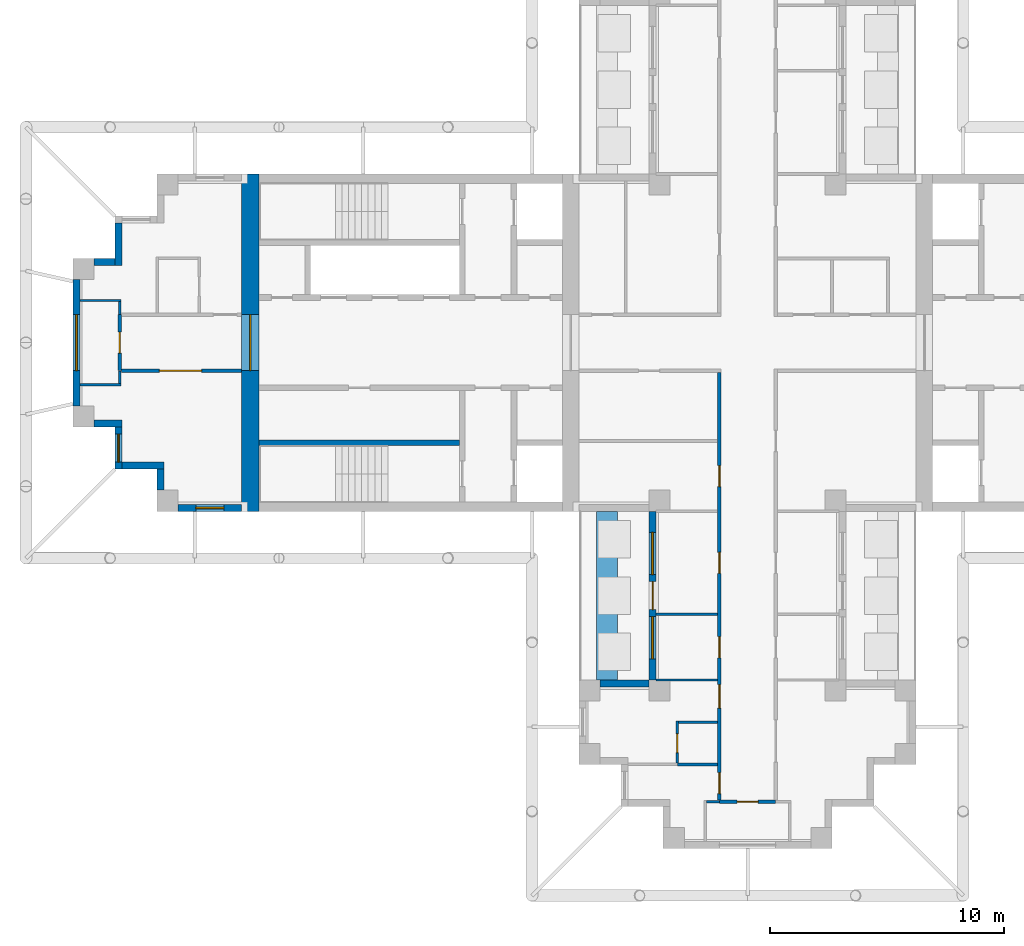
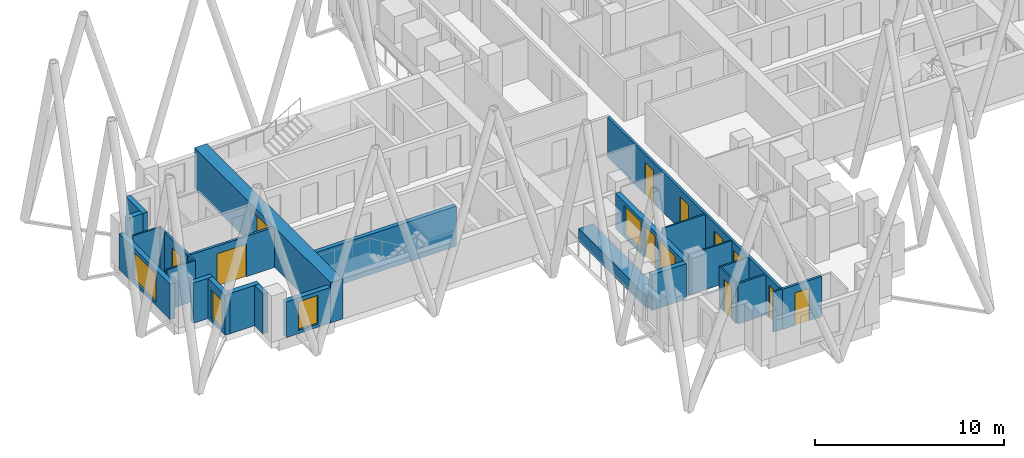
# One storey, part 3 of 11: 27 walls, 11 doors, 5 windows, 16 openings.
"""IFC4 building model written with IfcOpenShell, lengths in metres."""

from ifc_helpers import new_model, si_unit, direction, frame, frame_2d, origin, place, context, subcontext, project, spatial, rectangle, extrude, material, layer, layer_set, type_object, element, fill, save


model = new_model("IFC4")

# Units and contexts
model_context = context("Model", 3, precision=1e-05, world=origin(), true_north=direction((0.0, 1.0)))
body_context = subcontext(model_context, "Body", "Model", "MODEL_VIEW")
ifc_project = project(units=[si_unit("LENGTHUNIT", "METRE"), si_unit("AREAUNIT", "SQUARE_METRE"), si_unit("VOLUMEUNIT", "CUBIC_METRE"), si_unit("PLANEANGLEUNIT", "RADIAN"), si_unit("MASSUNIT", "GRAM", prefix="KILO")], contexts=[model_context])

# Site, building, storey
site_placement = place(None, origin())
site = spatial("IfcSite", under=ifc_project, at=site_placement, CompositionType="ELEMENT")
building_placement = place(site_placement, origin())
building = spatial("IfcBuilding", under=site, at=building_placement, Name="Fustian Cross Tower", CompositionType="ELEMENT")
storey_placement = place(building_placement, frame((0.0, 0.0, 222.89990234375)))
storey = spatial("IfcBuildingStorey", under=building, at=storey_placement, Name="L70", CompositionType="ELEMENT", Elevation=222.89990234375)

# Wall, opening, door
ifc_material_1 = material(Name="Plasterboard on steel stud", Category="steel")
ifc_layer_1 = layer(ifc_material_1, 0.14990234375)
ifc_layer_set_1 = layer_set([ifc_layer_1], Name="Plasterboard on steel stud")
wall_type_1 = type_object("IfcWallType", Name="COMPARTMENT WALL 150 EI 60", PredefinedType="PARTITIONING", material=ifc_layer_set_1)
wall_1_placement = place(storey_placement, frame((-26.800048828125, -1.199951171875, 0.0), z_axis=(0.0, 0.0, 1.0), x_axis=(0.0, 1.0, 0.0)))
wall_1 = element("IfcWall", 1, at=wall_1_placement, inside=storey, type_object=wall_type_1, Name="Partition 4", PredefinedType="PARTITIONING", context=body_context, shape_type="SweptSolid", body=[
    extrude(rectangle(XDim=2.39990234375, YDim=0.14990234375, at=frame_2d((1.199951171875, 0.0))), origin(), (0.0, 0.0, 1.0), 2.60009765625),
])
opening_1_placement = place(wall_1_placement, frame((0.75, 0.0, 0.0)))
opening_1 = element("IfcOpeningElement", 2, at=opening_1_placement, cuts=wall_1, Name="Opening D31022", PredefinedType="OPENING", context=body_context, shape_type="SweptSolid", body=[
    extrude(rectangle(XDim=0.89990234375, YDim=2.10009765625, at=frame_2d((0.449951171875, 1.050048828125))), frame((0.0, 0.0849609375, 0.0), z_axis=(0.0, -1.0, 0.0), x_axis=(1.0, 0.0, 0.0)), (0.0, 0.0, 1.0), 0.169921875),
])
ifc_material_2 = material(Name="Timber fire door set", Category="wood")
door_type_1 = type_object("IfcDoorType", Name="FIRE SWING DOOR 900 FD30S", OperationType="SINGLE_SWING_LEFT", PredefinedType="DOOR", material=ifc_material_2)
door_1_placement = place(opening_1_placement, origin())
door_1 = element("IfcDoor", 3, at=door_1_placement, inside=storey, type_object=door_type_1, Name="Door D31022", OperationType="SINGLE_SWING_LEFT", OverallHeight=2.10009765625, OverallWidth=0.89990234375, PredefinedType="DOOR", context=body_context, shape_type="SweptSolid", body=[
    extrude(rectangle(XDim=0.89990234375, YDim=2.10009765625, at=frame_2d((0.449951171875, 1.050048828125))), frame((0.0, 0.02490234375, 0.0), z_axis=(0.0, -1.0, 0.0), x_axis=(1.0, 0.0, 0.0)), (0.0, 0.0, 1.0), 0.050048828125),
])
fill(opening_1, door_1)

wall_2_placement = place(storey_placement, frame((-26.72509765625, -1.199951171875, 0.0), z_axis=(0.0, 0.0, 1.0), x_axis=(1.0, 0.0, 0.0)))
wall_2 = element("IfcWall", 4, at=wall_2_placement, inside=storey, type_object=wall_type_1, Name="Partition 5", PredefinedType="PARTITIONING", context=body_context, shape_type="SweptSolid", body=[
    extrude(rectangle(XDim=5.125, YDim=0.14990234375, at=frame_2d((2.5625, 0.0))), origin(), (0.0, 0.0, 1.0), 2.60009765625),
])
opening_2_placement = place(wall_2_placement, frame((1.625, 0.0, 0.0)))
opening_2 = element("IfcOpeningElement", 5, at=opening_2_placement, cuts=wall_2, Name="Opening D31023", PredefinedType="OPENING", context=body_context, shape_type="SweptSolid", body=[
    extrude(rectangle(XDim=1.800048828125, YDim=2.10009765625, at=frame_2d((0.89990234375, 1.050048828125))), frame((0.0, 0.0849609375, 0.0), z_axis=(0.0, -1.0, 0.0), x_axis=(1.0, 0.0, 0.0)), (0.0, 0.0, 1.0), 0.169921875),
])
ifc_material_3 = material(Name="Timber fire door set", Category="wood")
door_type_2 = type_object("IfcDoorType", Name="FIRE DOUBLE DOOR 1800 FD30S", OperationType="DOUBLE_DOOR_DOUBLE_SWING", PredefinedType="DOOR", material=ifc_material_3)
door_2_placement = place(opening_2_placement, origin())
door_2 = element("IfcDoor", 6, at=door_2_placement, inside=storey, type_object=door_type_2, Name="Door D31023", OperationType="DOUBLE_DOOR_DOUBLE_SWING", OverallHeight=2.10009765625, OverallWidth=1.800048828125, PredefinedType="DOOR", context=body_context, shape_type="SweptSolid", body=[
    extrude(rectangle(XDim=1.800048828125, YDim=2.10009765625, at=frame_2d((0.89990234375, 1.050048828125))), frame((0.0, 0.02490234375, 0.0), z_axis=(0.0, -1.0, 0.0), x_axis=(1.0, 0.0, 0.0)), (0.0, 0.0, 1.0), 0.050048828125),
])
fill(opening_2, door_2)

# Wall, openings, doors
wall_3_placement = place(storey_placement, frame((-1.199951171875, -19.52490234375, 0.0), z_axis=(0.0, 0.0, 1.0), x_axis=(0.0, 1.0, 0.0)))
wall_3 = element("IfcWall", 7, at=wall_3_placement, inside=storey, type_object=wall_type_1, Name="Partition 29", PredefinedType="PARTITIONING", context=body_context, shape_type="SweptSolid", body=[
    extrude(rectangle(XDim=18.25, YDim=0.14990234375, at=frame_2d((9.125, 0.0))), origin(), (0.0, 0.0, 1.0), 2.60009765625),
])
opening_3_placement = place(wall_3_placement, frame((13.375, 0.0, 0.0)))
opening_3 = element("IfcOpeningElement", 8, at=opening_3_placement, cuts=wall_3, Name="Opening D31008", PredefinedType="OPENING", context=body_context, shape_type="SweptSolid", body=[
    extrude(rectangle(XDim=0.89990234375, YDim=2.10009765625, at=frame_2d((0.449951171875, 1.050048828125))), frame((0.0, 0.0849609375, 0.0), z_axis=(0.0, -1.0, 0.0), x_axis=(1.0, 0.0, 0.0)), (0.0, 0.0, 1.0), 0.169921875),
])
opening_4_placement = place(wall_3_placement, frame((6.074951171875, 0.0, 0.0)))
opening_4 = element("IfcOpeningElement", 9, at=opening_4_placement, cuts=wall_3, Name="Opening D31030", PredefinedType="OPENING", context=body_context, shape_type="SweptSolid", body=[
    extrude(rectangle(XDim=0.89990234375, YDim=2.10009765625, at=frame_2d((0.449951171875, 1.050048828125))), frame((0.0, 0.0849609375, 0.0), z_axis=(0.0, -1.0, 0.0), x_axis=(1.0, 0.0, 0.0)), (0.0, 0.0, 1.0), 0.169921875),
])
opening_5_placement = place(wall_3_placement, frame((9.675048828125, 0.0, 0.0)))
opening_5 = element("IfcOpeningElement", 10, at=opening_5_placement, cuts=wall_3, Name="Opening D31031", PredefinedType="OPENING", context=body_context, shape_type="SweptSolid", body=[
    extrude(rectangle(XDim=0.89990234375, YDim=2.10009765625, at=frame_2d((0.449951171875, 1.050048828125))), frame((0.0, 0.0849609375, 0.0), z_axis=(0.0, -1.0, 0.0), x_axis=(1.0, 0.0, 0.0)), (0.0, 0.0, 1.0), 0.169921875),
])
opening_6_placement = place(wall_3_placement, frame((3.925048828125, 0.0, 0.0)))
opening_6 = element("IfcOpeningElement", 11, at=opening_6_placement, cuts=wall_3, Name="Opening D31033", PredefinedType="OPENING", context=body_context, shape_type="SweptSolid", body=[
    extrude(rectangle(XDim=1.0, YDim=2.10009765625, at=frame_2d((0.5, 1.050048828125))), frame((0.0, 0.0849609375, 0.0), z_axis=(0.0, -1.0, 0.0), x_axis=(1.0, 0.0, 0.0)), (0.0, 0.0, 1.0), 0.169921875),
])
opening_7_placement = place(wall_3_placement, frame((0.27490234375, 0.0, 0.0)))
opening_7 = element("IfcOpeningElement", 12, at=opening_7_placement, cuts=wall_3, Name="Opening D31034", PredefinedType="OPENING", context=body_context, shape_type="SweptSolid", body=[
    extrude(rectangle(XDim=0.89990234375, YDim=2.10009765625, at=frame_2d((0.449951171875, 1.050048828125))), frame((0.0, 0.0849609375, 0.0), z_axis=(0.0, -1.0, 0.0), x_axis=(1.0, 0.0, 0.0)), (0.0, 0.0, 1.0), 0.169921875),
])
ifc_material_4 = material(Name="Timber fire door set", Category="wood")
door_type_3 = type_object("IfcDoorType", Name="FIRE SWING DOOR 1000 FD30S", OperationType="SINGLE_SWING_LEFT", PredefinedType="DOOR", material=ifc_material_4)
door_3_placement = place(opening_6_placement, origin())
door_3 = element("IfcDoor", 13, at=door_3_placement, inside=storey, type_object=door_type_3, Name="Door D31033", OperationType="SINGLE_SWING_RIGHT", OverallHeight=2.10009765625, OverallWidth=1.0, PredefinedType="DOOR", context=body_context, shape_type="SweptSolid", body=[
    extrude(rectangle(XDim=1.0, YDim=2.10009765625, at=frame_2d((0.5, 1.050048828125))), frame((0.0, 0.02490234375, 0.0), z_axis=(0.0, -1.0, 0.0), x_axis=(1.0, 0.0, 0.0)), (0.0, 0.0, 1.0), 0.050048828125),
])
fill(opening_6, door_3)
door_4_placement = place(opening_3_placement, origin())
door_4 = element("IfcDoor", 14, at=door_4_placement, inside=storey, type_object=door_type_1, Name="Door D31008", OperationType="SINGLE_SWING_RIGHT", OverallHeight=2.10009765625, OverallWidth=0.89990234375, PredefinedType="DOOR", context=body_context, shape_type="SweptSolid", body=[
    extrude(rectangle(XDim=0.89990234375, YDim=2.10009765625, at=frame_2d((0.449951171875, 1.050048828125))), frame((0.0, 0.02490234375, 0.0), z_axis=(0.0, -1.0, 0.0), x_axis=(1.0, 0.0, 0.0)), (0.0, 0.0, 1.0), 0.050048828125),
])
fill(opening_3, door_4)
door_5_placement = place(opening_4_placement, origin())
door_5 = element("IfcDoor", 15, at=door_5_placement, inside=storey, type_object=door_type_1, Name="Door D31030", OperationType="SINGLE_SWING_LEFT", OverallHeight=2.10009765625, OverallWidth=0.89990234375, PredefinedType="DOOR", context=body_context, shape_type="SweptSolid", body=[
    extrude(rectangle(XDim=0.89990234375, YDim=2.10009765625, at=frame_2d((0.449951171875, 1.050048828125))), frame((0.0, 0.02490234375, 0.0), z_axis=(0.0, -1.0, 0.0), x_axis=(1.0, 0.0, 0.0)), (0.0, 0.0, 1.0), 0.050048828125),
])
fill(opening_4, door_5)
door_6_placement = place(opening_5_placement, origin())
door_6 = element("IfcDoor", 16, at=door_6_placement, inside=storey, type_object=door_type_1, Name="Door D31031", OperationType="SINGLE_SWING_LEFT", OverallHeight=2.10009765625, OverallWidth=0.89990234375, PredefinedType="DOOR", context=body_context, shape_type="SweptSolid", body=[
    extrude(rectangle(XDim=0.89990234375, YDim=2.10009765625, at=frame_2d((0.449951171875, 1.050048828125))), frame((0.0, 0.02490234375, 0.0), z_axis=(0.0, -1.0, 0.0), x_axis=(1.0, 0.0, 0.0)), (0.0, 0.0, 1.0), 0.050048828125),
])
fill(opening_5, door_6)
door_7_placement = place(opening_7_placement, origin())
door_7 = element("IfcDoor", 17, at=door_7_placement, inside=storey, type_object=door_type_1, Name="Door D31034", OperationType="SINGLE_SWING_LEFT", OverallHeight=2.10009765625, OverallWidth=0.89990234375, PredefinedType="DOOR", context=body_context, shape_type="SweptSolid", body=[
    extrude(rectangle(XDim=0.89990234375, YDim=2.10009765625, at=frame_2d((0.449951171875, 1.050048828125))), frame((0.0, 0.02490234375, 0.0), z_axis=(0.0, -1.0, 0.0), x_axis=(1.0, 0.0, 0.0)), (0.0, 0.0, 1.0), 0.050048828125),
])
fill(opening_7, door_7)

# Wall, opening, door
wall_4_placement = place(storey_placement, frame((-1.199951171875, -19.60009765625, 0.0), z_axis=(0.0, 0.0, 1.0), x_axis=(1.0, 0.0, 0.0)))
wall_4 = element("IfcWall", 18, at=wall_4_placement, inside=storey, type_object=wall_type_1, Name="Partition 30", PredefinedType="PARTITIONING", context=body_context, shape_type="SweptSolid", body=[
    extrude(rectangle(XDim=2.39990234375, YDim=0.14990234375, at=frame_2d((1.199951171875, 0.0))), origin(), (0.0, 0.0, 1.0), 2.60009765625),
])
opening_8_placement = place(wall_4_placement, frame((0.75, 0.0, 0.0)))
opening_8 = element("IfcOpeningElement", 19, at=opening_8_placement, cuts=wall_4, Name="Opening D31026", PredefinedType="OPENING", context=body_context, shape_type="SweptSolid", body=[
    extrude(rectangle(XDim=0.89990234375, YDim=2.10009765625, at=frame_2d((0.449951171875, 1.050048828125))), frame((0.0, 0.0849609375, 0.0), z_axis=(0.0, -1.0, 0.0), x_axis=(1.0, 0.0, 0.0)), (0.0, 0.0, 1.0), 0.169921875),
])
door_8_placement = place(opening_8_placement, frame((0.89990234375, 0.0, 0.0), z_axis=(0.0, 0.0, 1.0), x_axis=(-1.0, 0.0, 0.0)))
door_8 = element("IfcDoor", 20, at=door_8_placement, inside=storey, type_object=door_type_1, Name="Door D31026", OperationType="SINGLE_SWING_RIGHT", OverallHeight=2.10009765625, OverallWidth=0.89990234375, PredefinedType="DOOR", context=body_context, shape_type="SweptSolid", body=[
    extrude(rectangle(XDim=0.89990234375, YDim=2.10009765625, at=frame_2d((0.449951171875, 1.050048828125))), frame((0.0, 0.02490234375, 0.0), z_axis=(0.0, -1.0, 0.0), x_axis=(1.0, 0.0, 0.0)), (0.0, 0.0, 1.0), 0.050048828125),
])
fill(opening_8, door_8)

ifc_material_5 = material(Name="Concrete C50/60", Category="concrete")
ifc_layer_2 = layer(ifc_material_5, 0.75)
ifc_layer_set_2 = layer_set([ifc_layer_2], Name="Concrete C50/60")
wall_type_2 = type_object("IfcWallType", Name="CORE END WALL 750 C50/60", PredefinedType="SHEAR", material=ifc_layer_set_2)
wall_5_placement = place(storey_placement, frame((-21.22509765625, -7.199951171875, 0.0), z_axis=(0.0, 0.0, 1.0), x_axis=(0.0, 1.0, 0.0)))
wall_5 = element("IfcWall", 21, at=wall_5_placement, inside=storey, type_object=wall_type_2, Name="Core end wall", PredefinedType="SHEAR", context=body_context, shape_type="SweptSolid", body=[
    extrude(rectangle(XDim=14.39990234375, YDim=0.75, at=frame_2d((7.199951171875, 0.0))), origin(), (0.0, 0.0, 1.0), 2.60009765625),
])
opening_9_placement = place(wall_5_placement, frame((6.0, 0.0, 0.0)))
opening_9 = element("IfcOpeningElement", 22, at=opening_9_placement, cuts=wall_5, Name="Opening CD-29-28", PredefinedType="OPENING", context=body_context, shape_type="SweptSolid", body=[
    extrude(rectangle(XDim=2.39990234375, YDim=2.199951171875, at=frame_2d((1.199951171875, 1.10009765625))), frame((0.0, 0.385009765625, 0.0), z_axis=(0.0, -1.0, 0.0), x_axis=(1.0, 0.0, 0.0)), (0.0, 0.0, 1.0), 0.77001953125),
])
ifc_material_6 = material(Name="Steel", Category="steel")
door_type_4 = type_object("IfcDoorType", Name="FIRE DOOR FD30S DOUBLE 2400X2200", OperationType="DOUBLE_DOOR_DOUBLE_SWING", PredefinedType="DOOR", material=ifc_material_6)
door_9_placement = place(opening_9_placement, frame((2.39990234375, 0.0, 0.0), z_axis=(0.0, 0.0, 1.0), x_axis=(-1.0, 0.0, 0.0)))
door_9 = element("IfcDoor", 23, at=door_9_placement, inside=storey, type_object=door_type_4, Name="Core door CD-29-28", OperationType="DOUBLE_DOOR_DOUBLE_SWING", OverallHeight=2.199951171875, OverallWidth=2.39990234375, PredefinedType="DOOR", context=body_context, shape_type="SweptSolid", body=[
    extrude(rectangle(XDim=2.39990234375, YDim=2.199951171875, at=frame_2d((1.199951171875, 1.10009765625))), frame((0.0, 0.02490234375, 0.0), z_axis=(0.0, -1.0, 0.0), x_axis=(1.0, 0.0, 0.0)), (0.0, 0.0, 1.0), 0.050048828125),
])
fill(opening_9, door_9)

# Walls
ifc_material_7 = material(Name="Concrete C50/60", Category="concrete")
ifc_layer_3 = layer(ifc_material_7, 0.25)
ifc_layer_set_3 = layer_set([ifc_layer_3], Name="Concrete C50/60")
wall_type_3 = type_object("IfcWallType", Name="CORE SHAFT WALL 250 C50/60", PredefinedType="SHEAR", material=ifc_layer_set_3)
wall_6_placement = place(storey_placement, frame((-12.300048828125, -4.27490234375, 0.0), z_axis=(0.0, 0.0, 1.0), x_axis=(-1.0, 0.0, 0.0)))
element("IfcWall", 24, at=wall_6_placement, inside=storey, type_object=wall_type_3, Name="Core shaft wall", PredefinedType="SHEAR", context=body_context, shape_type="SweptSolid", body=[
    extrude(rectangle(XDim=8.550048828125, YDim=0.25, at=frame_2d((4.27490234375, 0.0))), origin(), (0.0, 0.0, 1.0), 2.60009765625),
])
ifc_material_8 = material(Name="Plasterboard on steel stud", Category="steel")
ifc_layer_4 = layer(ifc_material_8, 0.10009765625)
ifc_layer_set_4 = layer_set([ifc_layer_4], Name="Plasterboard on steel stud")
wall_type_4 = type_object("IfcWallType", Name="PARTITION 100 STUD", PredefinedType="PARTITIONING", material=ifc_layer_set_4)
for number, where, z_axis, x_axis, name in (
    (25, (-28.5, -1.800048828125, 0.0), (0.0, 0.0, 1.0), (1.0, 0.0, 0.0), "Partition 1"),
    (26, (-28.5, 1.800048828125, 0.0), (0.0, 0.0, 1.0), (1.0, 0.0, 0.0), "Partition 2"),
):
    element("IfcWall", number, at=place(storey_placement, frame(where, z_axis=z_axis, x_axis=x_axis)), inside=storey, type_object=wall_type_4, Name=name, PredefinedType="PARTITIONING", context=body_context, shape_type="SweptSolid", body=[
        extrude(rectangle(XDim=1.75, YDim=0.10009765625, at=frame_2d((0.875, 0.0))), origin(), (0.0, 0.0, 1.0), 2.60009765625),
    ])
for number, where, z_axis, x_axis, name in (
    (27, (-26.800048828125, -1.75, 0.0), (0.0, 0.0, 1.0), (0.0, 1.0, 0.0), "Partition 3"),
    (28, (-26.800048828125, 1.199951171875, 0.0), (0.0, 0.0, 1.0), (0.0, 1.0, 0.0), "Partition 6"),
):
    element("IfcWall", number, at=place(storey_placement, frame(where, z_axis=z_axis, x_axis=x_axis)), inside=storey, type_object=wall_type_4, Name=name, PredefinedType="PARTITIONING", context=body_context, shape_type="SweptSolid", body=[
        extrude(rectangle(XDim=0.550048828125, YDim=0.10009765625, at=frame_2d((0.27490234375, 0.0))), origin(), (0.0, 0.0, 1.0), 2.60009765625),
    ])
for number, where, z_axis, x_axis, name in (
    (29, (-3.89990234375, -14.39990234375, 0.0), (0.0, 0.0, 1.0), (1.0, 0.0, 0.0), "Partition 17"),
    (30, (-3.89990234375, -11.60009765625, 0.0), (0.0, 0.0, 1.0), (1.0, 0.0, 0.0), "Partition 18"),
):
    element("IfcWall", number, at=place(storey_placement, frame(where, z_axis=z_axis, x_axis=x_axis)), inside=storey, type_object=wall_type_4, Name=name, PredefinedType="PARTITIONING", context=body_context, shape_type="SweptSolid", body=[
        extrude(rectangle(XDim=2.625, YDim=0.10009765625, at=frame_2d((1.3125, 0.0))), origin(), (0.0, 0.0, 1.0), 2.60009765625),
    ])

# Wall, opening, door
wall_7_placement = place(storey_placement, frame((-3.0, -17.9375, 0.0), z_axis=(0.0, 0.0, 1.0), x_axis=(0.0, 1.0, 0.0)))
wall_7 = element("IfcWall", 31, at=wall_7_placement, inside=storey, type_object=wall_type_4, Name="Partition 22", PredefinedType="PARTITIONING", context=body_context, shape_type="SweptSolid", body=[
    extrude(rectangle(XDim=1.78759765625, YDim=0.10009765625, at=frame_2d((0.893798828125, 0.0))), origin(), (0.0, 0.0, 1.0), 2.60009765625),
])
opening_10_placement = place(wall_7_placement, frame((0.4375, 0.0, 0.0)))
opening_10 = element("IfcOpeningElement", 32, at=opening_10_placement, cuts=wall_7, Name="Opening D31032", PredefinedType="OPENING", context=body_context, shape_type="SweptSolid", body=[
    extrude(rectangle(XDim=0.800048828125, YDim=2.10009765625, at=frame_2d((0.39990234375, 1.050048828125))), frame((0.0, 0.06005859375, 0.0), z_axis=(0.0, -1.0, 0.0), x_axis=(1.0, 0.0, 0.0)), (0.0, 0.0, 1.0), 0.1201171875),
])
ifc_material_9 = material(Name="Painted timber", Category="wood")
door_type_5 = type_object("IfcDoorType", Name="SWING DOOR 800", OperationType="SINGLE_SWING_LEFT", PredefinedType="DOOR", material=ifc_material_9)
door_10_placement = place(opening_10_placement, frame((0.800048828125, 0.0, 0.0), z_axis=(0.0, 0.0, 1.0), x_axis=(-1.0, 0.0, 0.0)))
door_10 = element("IfcDoor", 33, at=door_10_placement, inside=storey, type_object=door_type_5, Name="Door D31032", OperationType="SINGLE_SWING_LEFT", OverallHeight=2.10009765625, OverallWidth=0.800048828125, PredefinedType="DOOR", context=body_context, shape_type="SweptSolid", body=[
    extrude(rectangle(XDim=0.800048828125, YDim=2.10009765625, at=frame_2d((0.39990234375, 1.050048828125))), frame((0.0, 0.02490234375, 0.0), z_axis=(0.0, -1.0, 0.0), x_axis=(1.0, 0.0, 0.0)), (0.0, 0.0, 1.0), 0.050048828125),
])
fill(opening_10, door_10)

# Walls
wall_8_placement = place(storey_placement, frame((-2.949951171875, -16.199951171875, 0.0), z_axis=(0.0, 0.0, 1.0), x_axis=(1.0, 0.0, 0.0)))
element("IfcWall", 34, at=wall_8_placement, inside=storey, type_object=wall_type_4, Name="Partition 24", PredefinedType="PARTITIONING", context=body_context, shape_type="SweptSolid", body=[
    extrude(rectangle(XDim=1.675048828125, YDim=0.10009765625, at=frame_2d((0.83740234375, 0.0))), origin(), (0.0, 0.0, 1.0), 2.60009765625),
])
wall_9_placement = place(storey_placement, frame((-1.75, -19.60009765625, 0.0), z_axis=(0.0, 0.0, 1.0), x_axis=(1.0, 0.0, 0.0)))
element("IfcWall", 35, at=wall_9_placement, inside=storey, type_object=wall_type_4, Name="Partition 26", PredefinedType="PARTITIONING", context=body_context, shape_type="SweptSolid", body=[
    extrude(rectangle(XDim=0.550048828125, YDim=0.10009765625, at=frame_2d((0.27490234375, 0.0))), origin(), (0.0, 0.0, 1.0), 2.60009765625),
])
ifc_material_10 = material(Name="Concrete C40/50", Category="concrete")
ifc_layer_5 = layer(ifc_material_10, 0.89990234375)
ifc_layer_set_5 = layer_set([ifc_layer_5], Name="Concrete C40/50")
wall_type_5 = type_object("IfcWallType", Name="PK1 PLANTER 900", PredefinedType="PARAPET", material=ifc_layer_set_5)
wall_10_placement = place(storey_placement, frame((-6.0, -14.39990234375, 0.0), z_axis=(0.0, 0.0, 1.0), x_axis=(0.0, 1.0, 0.0)))
element("IfcWall", 36, at=wall_10_placement, inside=storey, type_object=wall_type_5, Name="PLANTER", PredefinedType="PARAPET", context=body_context, shape_type="SweptSolid", body=[
    extrude(rectangle(XDim=7.199951171875, YDim=0.89990234375, at=frame_2d((3.60009765625, 0.0))), origin(), (0.0, 0.0, 1.0), 0.800048828125),
])
ifc_material_11 = material(Name="Plasterboard on steel stud", Category="steel")
ifc_layer_6 = layer(ifc_material_11, 0.125)
ifc_layer_set_6 = layer_set([ifc_layer_6], Name="Plasterboard on steel stud")
wall_type_6 = type_object("IfcWallType", Name="WET WALL 125 STUD", PredefinedType="PARTITIONING", material=ifc_layer_set_6)
wall_11_placement = place(storey_placement, frame((-3.0, -18.0, 0.0), z_axis=(0.0, 0.0, 1.0), x_axis=(1.0, 0.0, 0.0)))
element("IfcWall", 37, at=wall_11_placement, inside=storey, type_object=wall_type_6, Name="Partition 23", PredefinedType="PARTITIONING", context=body_context, shape_type="SweptSolid", body=[
    extrude(rectangle(XDim=1.72509765625, YDim=0.125, at=frame_2d((0.862548828125, 0.0))), origin(), (0.0, 0.0, 1.0), 2.60009765625),
])
ifc_material_12 = material(Name="Dark aluminium cladding on insulated backing wall", Category="aluminium")
ifc_layer_7 = layer(ifc_material_12, 0.300048828125)
ifc_layer_set_7 = layer_set([ifc_layer_7], Name="Dark aluminium cladding on insulated backing wall")
wall_type_7 = type_object("IfcWallType", Name="XW1 EXTERNAL WALL 300", PredefinedType="SOLIDWALL", material=ifc_layer_set_7)
wall_12_placement = place(storey_placement, frame((-26.85009765625, 5.10009765625, 0.0), z_axis=(0.0, 0.0, 1.0), x_axis=(0.0, -1.0, 0.0)))
element("IfcWall", 38, at=wall_12_placement, inside=storey, type_object=wall_type_7, Name="External wall", PredefinedType="SOLIDWALL", context=body_context, shape_type="SweptSolid", body=[
    extrude(rectangle(XDim=1.800048828125, YDim=0.300048828125, at=frame_2d((0.89990234375, 0.0))), origin(), (0.0, 0.0, 1.0), 2.60009765625),
])
wall_13_placement = place(storey_placement, frame((-27.0, 3.449951171875, 0.0), z_axis=(0.0, 0.0, 1.0), x_axis=(-1.0, 0.0, 0.0)))
element("IfcWall", 39, at=wall_13_placement, inside=storey, type_object=wall_type_7, Name="External wall", PredefinedType="SOLIDWALL", context=body_context, shape_type="SweptSolid", body=[
    extrude(rectangle(XDim=0.89990234375, YDim=0.300048828125, at=frame_2d((0.449951171875, 0.0))), origin(), (0.0, 0.0, 1.0), 2.60009765625),
])

# Wall, opening, window
wall_14_placement = place(storey_placement, frame((-28.64990234375, 2.699951171875, 0.0), z_axis=(0.0, 0.0, 1.0), x_axis=(0.0, -1.0, 0.0)))
wall_14 = element("IfcWall", 40, at=wall_14_placement, inside=storey, type_object=wall_type_7, Name="External wall", PredefinedType="SOLIDWALL", context=body_context, shape_type="SweptSolid", body=[
    extrude(rectangle(XDim=5.39990234375, YDim=0.300048828125, at=frame_2d((2.699951171875, 0.0))), origin(), (0.0, 0.0, 1.0), 2.300048828125),
])
opening_11_placement = place(wall_14_placement, frame((1.5, 0.0, 0.199951171875)))
opening_11 = element("IfcOpeningElement", 41, at=opening_11_placement, cuts=wall_14, Name="Opening WN1", PredefinedType="OPENING", context=body_context, shape_type="SweptSolid", body=[
    extrude(rectangle(XDim=2.39990234375, YDim=1.85009765625, at=frame_2d((1.199951171875, 0.925048828125))), frame((0.0, 0.159912109375, 0.0), z_axis=(0.0, -1.0, 0.0), x_axis=(1.0, 0.0, 0.0)), (0.0, 0.0, 1.0), 0.320068359375),
])
ifc_material_13 = material(Name="Dark anodised aluminium and double glazing", Category="aluminium")
window_type_1 = type_object("IfcWindowType", Name="WN1 WINDOW 2400X1850", PartitioningType="SINGLE_PANEL", PredefinedType="WINDOW", material=ifc_material_13)
window_1_placement = place(opening_11_placement, origin())
window_1 = element("IfcWindow", 42, at=window_1_placement, inside=storey, type_object=window_type_1, Name="Window", OverallHeight=1.85009765625, OverallWidth=2.39990234375, PartitioningType="SINGLE_PANEL", PredefinedType="WINDOW", context=body_context, shape_type="SweptSolid", body=[
    extrude(rectangle(XDim=2.39990234375, YDim=1.85009765625, at=frame_2d((1.199951171875, 0.925048828125))), frame((0.0, 0.030029296875, 0.0), z_axis=(0.0, -1.0, 0.0), x_axis=(1.0, 0.0, 0.0)), (0.0, 0.0, 1.0), 0.06005859375),
])
fill(opening_11, window_1)

# Wall
wall_15_placement = place(storey_placement, frame((-27.89990234375, -3.449951171875, 0.0), z_axis=(0.0, 0.0, 1.0), x_axis=(1.0, 0.0, 0.0)))
element("IfcWall", 43, at=wall_15_placement, inside=storey, type_object=wall_type_7, Name="External wall", PredefinedType="SOLIDWALL", context=body_context, shape_type="SweptSolid", body=[
    extrude(rectangle(XDim=1.199951171875, YDim=0.300048828125, at=frame_2d((0.60009765625, 0.0))), origin(), (0.0, 0.0, 1.0), 2.60009765625),
])

# Wall, opening, window
wall_16_placement = place(storey_placement, frame((-26.85009765625, -3.60009765625, 0.0), z_axis=(0.0, 0.0, 1.0), x_axis=(0.0, -1.0, 0.0)))
wall_16 = element("IfcWall", 44, at=wall_16_placement, inside=storey, type_object=wall_type_7, Name="External wall", PredefinedType="SOLIDWALL", context=body_context, shape_type="SweptSolid", body=[
    extrude(rectangle(XDim=1.7998046875, YDim=0.300048828125, at=frame_2d((0.89990234375, 0.0))), origin(), (0.0, 0.0, 1.0), 2.60009765625),
])
opening_12_placement = place(wall_16_placement, frame((0.300048828125, 0.0, 0.199951171875)))
opening_12 = element("IfcOpeningElement", 45, at=opening_12_placement, cuts=wall_16, Name="Opening WN3", PredefinedType="OPENING", context=body_context, shape_type="SweptSolid", body=[
    extrude(rectangle(XDim=1.199951171875, YDim=1.85009765625, at=frame_2d((0.60009765625, 0.925048828125))), frame((0.0, 0.159912109375, 0.0), z_axis=(0.0, -1.0, 0.0), x_axis=(1.0, 0.0, 0.0)), (0.0, 0.0, 1.0), 0.320068359375),
])
ifc_material_14 = material(Name="Dark anodised aluminium and double glazing", Category="aluminium")
window_type_2 = type_object("IfcWindowType", Name="WN3 WINDOW 1200X1850", PartitioningType="SINGLE_PANEL", PredefinedType="WINDOW", material=ifc_material_14)
window_2_placement = place(opening_12_placement, origin())
window_2 = element("IfcWindow", 46, at=window_2_placement, inside=storey, type_object=window_type_2, Name="Window", OverallHeight=1.85009765625, OverallWidth=1.199951171875, PartitioningType="SINGLE_PANEL", PredefinedType="WINDOW", context=body_context, shape_type="SweptSolid", body=[
    extrude(rectangle(XDim=1.199951171875, YDim=1.85009765625, at=frame_2d((0.60009765625, 0.925048828125))), frame((0.0, 0.030029296875, 0.0), z_axis=(0.0, -1.0, 0.0), x_axis=(1.0, 0.0, 0.0)), (0.0, 0.0, 1.0), 0.06005859375),
])
fill(opening_12, window_2)

# Walls
wall_17_placement = place(storey_placement, frame((-26.699951171875, -5.25, 0.0), z_axis=(0.0, 0.0, 1.0), x_axis=(1.0, 0.0, 0.0)))
element("IfcWall", 47, at=wall_17_placement, inside=storey, type_object=wall_type_7, Name="External wall", PredefinedType="SOLIDWALL", context=body_context, shape_type="SweptSolid", body=[
    extrude(rectangle(XDim=1.800048828125, YDim=0.300048828125, at=frame_2d((0.89990234375, 0.0))), origin(), (0.0, 0.0, 1.0), 2.60009765625),
])
wall_18_placement = place(storey_placement, frame((-25.050048828125, -5.39990234375, 0.0), z_axis=(0.0, 0.0, 1.0), x_axis=(0.0, -1.0, 0.0)))
element("IfcWall", 48, at=wall_18_placement, inside=storey, type_object=wall_type_7, Name="External wall", PredefinedType="SOLIDWALL", context=body_context, shape_type="SweptSolid", body=[
    extrude(rectangle(XDim=0.900146484375, YDim=0.300048828125, at=frame_2d((0.4501953125, 0.0))), origin(), (0.0, 0.0, 1.0), 2.60009765625),
])

# Wall, opening, window
wall_19_placement = place(storey_placement, frame((-24.300048828125, -7.050048828125, 0.0), z_axis=(0.0, 0.0, 1.0), x_axis=(1.0, 0.0, 0.0)))
wall_19 = element("IfcWall", 49, at=wall_19_placement, inside=storey, type_object=wall_type_7, Name="External wall", PredefinedType="SOLIDWALL", context=body_context, shape_type="SweptSolid", body=[
    extrude(rectangle(XDim=2.699951171875, YDim=0.300048828125, at=frame_2d((1.35009765625, 0.0))), origin(), (0.0, 0.0, 1.0), 2.300048828125),
])
opening_13_placement = place(wall_19_placement, frame((0.75, 0.0, 0.199951171875)))
opening_13 = element("IfcOpeningElement", 50, at=opening_13_placement, cuts=wall_19, Name="Opening WN3", PredefinedType="OPENING", context=body_context, shape_type="SweptSolid", body=[
    extrude(rectangle(XDim=1.199951171875, YDim=1.85009765625, at=frame_2d((0.60009765625, 0.925048828125))), frame((0.0, 0.159912109375, 0.0), z_axis=(0.0, -1.0, 0.0), x_axis=(1.0, 0.0, 0.0)), (0.0, 0.0, 1.0), 0.320068359375),
])
window_3_placement = place(opening_13_placement, origin())
window_3 = element("IfcWindow", 51, at=window_3_placement, inside=storey, type_object=window_type_2, Name="Window", OverallHeight=1.85009765625, OverallWidth=1.199951171875, PartitioningType="SINGLE_PANEL", PredefinedType="WINDOW", context=body_context, shape_type="SweptSolid", body=[
    extrude(rectangle(XDim=1.199951171875, YDim=1.85009765625, at=frame_2d((0.60009765625, 0.925048828125))), frame((0.0, 0.030029296875, 0.0), z_axis=(0.0, -1.0, 0.0), x_axis=(1.0, 0.0, 0.0)), (0.0, 0.0, 1.0), 0.06005859375),
])
fill(opening_13, window_3)

# Wall, openings, door, windows
wall_20_placement = place(storey_placement, frame((-4.050048828125, -7.199951171875, 0.0), z_axis=(0.0, 0.0, 1.0), x_axis=(0.0, -1.0, 0.0)))
wall_20 = element("IfcWall", 52, at=wall_20_placement, inside=storey, type_object=wall_type_7, Name="External wall", PredefinedType="SOLIDWALL", context=body_context, shape_type="SweptSolid", body=[
    extrude(rectangle(XDim=7.199951171875, YDim=0.300048828125, at=frame_2d((3.60009765625, 0.0))), origin(), (0.0, 0.0, 1.0), 2.300048828125),
])
opening_14_placement = place(wall_20_placement, frame((3.0, 0.0, 0.0)))
opening_14 = element("IfcOpeningElement", 53, at=opening_14_placement, cuts=wall_20, Name="Opening XD4", PredefinedType="OPENING", context=body_context, shape_type="SweptSolid", body=[
    extrude(rectangle(XDim=1.199951171875, YDim=2.050048828125, at=frame_2d((0.60009765625, 1.02490234375))), frame((0.0, 0.159912109375, 0.0), z_axis=(0.0, -1.0, 0.0), x_axis=(1.0, 0.0, 0.0)), (0.0, 0.0, 1.0), 0.320068359375),
])
opening_15_placement = place(wall_20_placement, frame((0.89990234375, 0.0, 0.199951171875)))
opening_15 = element("IfcOpeningElement", 54, at=opening_15_placement, cuts=wall_20, Name="Opening WN2", PredefinedType="OPENING", context=body_context, shape_type="SweptSolid", body=[
    extrude(rectangle(XDim=1.800048828125, YDim=1.85009765625, at=frame_2d((0.89990234375, 0.925048828125))), frame((0.0, 0.159912109375, 0.0), z_axis=(0.0, -1.0, 0.0), x_axis=(1.0, 0.0, 0.0)), (0.0, 0.0, 1.0), 0.320068359375),
])
opening_16_placement = place(wall_20_placement, frame((4.5, 0.0, 0.199951171875)))
opening_16 = element("IfcOpeningElement", 55, at=opening_16_placement, cuts=wall_20, Name="Opening WN2", PredefinedType="OPENING", context=body_context, shape_type="SweptSolid", body=[
    extrude(rectangle(XDim=1.800048828125, YDim=1.85009765625, at=frame_2d((0.89990234375, 0.925048828125))), frame((0.0, 0.159912109375, 0.0), z_axis=(0.0, -1.0, 0.0), x_axis=(1.0, 0.0, 0.0)), (0.0, 0.0, 1.0), 0.320068359375),
])
ifc_material_15 = material(Name="Dark anodised aluminium and double glazing", Category="aluminium")
door_type_6 = type_object("IfcDoorType", Name="ED1 BALCONY DOOR 1200X2050", OperationType="SINGLE_SWING_LEFT", PredefinedType="DOOR", material=ifc_material_15)
door_11_placement = place(opening_14_placement, origin())
door_11 = element("IfcDoor", 56, at=door_11_placement, inside=storey, type_object=door_type_6, Name="Balcony door", OperationType="SINGLE_SWING_LEFT", OverallHeight=2.050048828125, OverallWidth=1.199951171875, PredefinedType="DOOR", context=body_context, shape_type="SweptSolid", body=[
    extrude(rectangle(XDim=1.199951171875, YDim=2.050048828125, at=frame_2d((0.60009765625, 1.02490234375))), frame((0.0, 0.02490234375, 0.0), z_axis=(0.0, -1.0, 0.0), x_axis=(1.0, 0.0, 0.0)), (0.0, 0.0, 1.0), 0.050048828125),
])
fill(opening_14, door_11)
ifc_material_16 = material(Name="Dark anodised aluminium and double glazing", Category="aluminium")
window_type_3 = type_object("IfcWindowType", Name="WN2 WINDOW 1800X1850", PartitioningType="SINGLE_PANEL", PredefinedType="WINDOW", material=ifc_material_16)
window_4_placement = place(opening_15_placement, origin())
window_4 = element("IfcWindow", 57, at=window_4_placement, inside=storey, type_object=window_type_3, Name="Window", OverallHeight=1.85009765625, OverallWidth=1.800048828125, PartitioningType="SINGLE_PANEL", PredefinedType="WINDOW", context=body_context, shape_type="SweptSolid", body=[
    extrude(rectangle(XDim=1.800048828125, YDim=1.85009765625, at=frame_2d((0.89990234375, 0.925048828125))), frame((0.0, 0.030029296875, 0.0), z_axis=(0.0, -1.0, 0.0), x_axis=(1.0, 0.0, 0.0)), (0.0, 0.0, 1.0), 0.06005859375),
])
fill(opening_15, window_4)
window_5_placement = place(opening_16_placement, origin())
window_5 = element("IfcWindow", 58, at=window_5_placement, inside=storey, type_object=window_type_3, Name="Window", OverallHeight=1.85009765625, OverallWidth=1.800048828125, PartitioningType="SINGLE_PANEL", PredefinedType="WINDOW", context=body_context, shape_type="SweptSolid", body=[
    extrude(rectangle(XDim=1.800048828125, YDim=1.85009765625, at=frame_2d((0.89990234375, 0.925048828125))), frame((0.0, 0.030029296875, 0.0), z_axis=(0.0, -1.0, 0.0), x_axis=(1.0, 0.0, 0.0)), (0.0, 0.0, 1.0), 0.06005859375),
])
fill(opening_16, window_5)

# Wall
wall_21_placement = place(storey_placement, frame((-4.199951171875, -14.550048828125, 0.0), z_axis=(0.0, 0.0, 1.0), x_axis=(-1.0, 0.0, 0.0)))
element("IfcWall", 59, at=wall_21_placement, inside=storey, type_object=wall_type_7, Name="External wall", PredefinedType="SOLIDWALL", context=body_context, shape_type="SweptSolid", body=[
    extrude(rectangle(XDim=2.10009765625, YDim=0.300048828125, at=frame_2d((1.050048828125, 0.0))), origin(), (0.0, 0.0, 1.0), 2.300048828125),
])

save(model, "model.ifc")
